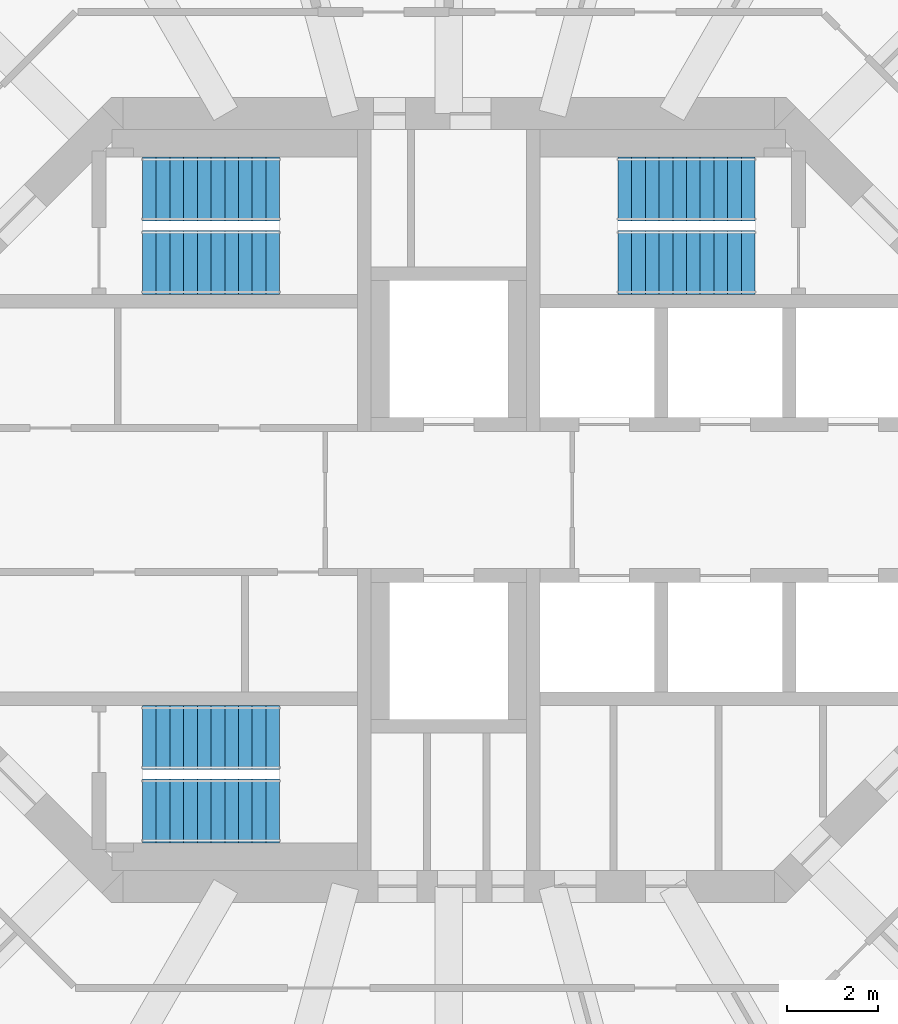
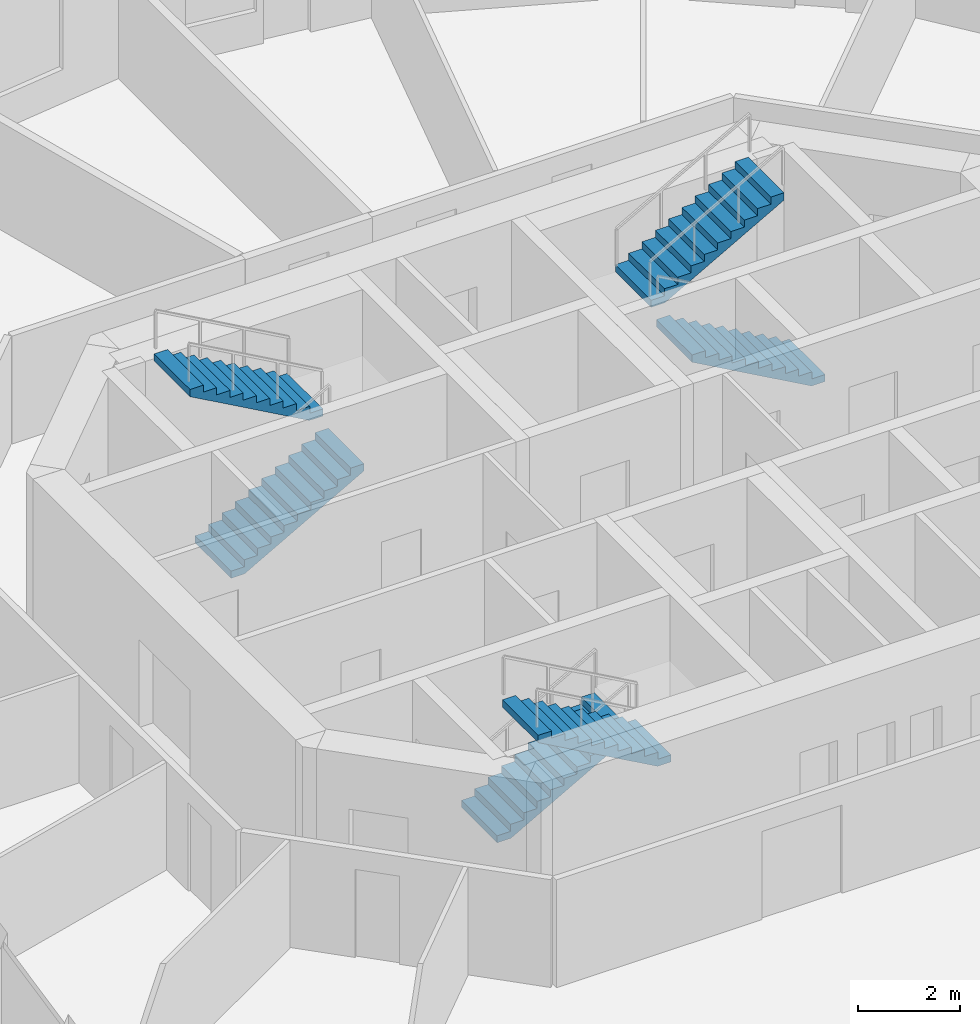
# One storey, part 7 of 9: 6 stair flights, 3 elements without a shape of their own.
"""IFC4 building model written with IfcOpenShell, lengths in metres."""

import ifcopenshell
import ifcopenshell.guid

model = None  # the IFC model being written
_history = None  # IfcOwnerHistory: only IFC2X3 demands one
_inside = {}  # id of a spatial element -> (the spatial element, [elements in it])
_under = {}  # id of a project, library or spatial element -> (it, [spatial elements below it])
_declared = {}  # id of a project -> (the project, [libraries it declares])
_typed = {}  # id of a type object -> (the type object, [elements of that type])
_made_of = {}  # id of a material, layer set ... -> (it, [elements and type objects made of it])


def new_model(schema):
    """Start an empty IFC model of exactly this schema.

    Asked for "IFC4X3", IfcOpenShell would pick the latest addendum, in which some entities
    have other attributes; the version numbers below select the first issue.
    IFC2X3 requires an IfcOwnerHistory on every rooted entity: one is made here for all.
    """
    global model, _history
    if schema == "IFC4X3":
        model = ifcopenshell.file(schema_version=(4, 3, 0, 0))
    else:
        model = ifcopenshell.file(schema=schema)
    _inside.clear()
    _under.clear()
    _declared.clear()
    _typed.clear()
    _made_of.clear()
    _history = None
    if model.schema == "IFC2X3":
        org = make("IfcOrganization", Name="unknown")
        user = make(
            "IfcPersonAndOrganization",
            ThePerson=make("IfcPerson", FamilyName="unknown"),
            TheOrganization=org,
        )
        app = make(
            "IfcApplication",
            ApplicationDeveloper=org,
            Version="unknown",
            ApplicationFullName="unknown",
            ApplicationIdentifier="unknown",
        )
        _history = make(
            "IfcOwnerHistory",
            OwningUser=user,
            OwningApplication=app,
            ChangeAction="ADDED",
            CreationDate=0,
        )
    return model


def make(cls, **values):
    """One entity of the class cls with the attributes given. An attribute that is None is left unset."""
    return model.create_entity(
        cls, **{name: value for name, value in values.items() if value is not None}
    )


def rooted(cls, **values):
    """An entity with a GlobalId (a new one), such as an element, a storey or a relation."""
    return make(cls, GlobalId=ifcopenshell.guid.new(), OwnerHistory=_history, **values)


def si_unit(unit_type, name, prefix=None):
    """IfcSIUnit, for example si_unit("LENGTHUNIT", "METRE", prefix="MILLI")."""
    return make("IfcSIUnit", UnitType=unit_type, Prefix=prefix, Name=name)


def assignment(units):
    """IfcUnitAssignment: the units of a project."""
    return None if units is None else make("IfcUnitAssignment", Units=units)


def point(xyz):
    """IfcCartesianPoint."""
    return None if xyz is None else make("IfcCartesianPoint", Coordinates=xyz)


def direction(xyz):
    """IfcDirection."""
    return None if xyz is None else make("IfcDirection", DirectionRatios=xyz)


def frame(location, z_axis=None, x_axis=None):
    """IfcAxis2Placement3D, a coordinate frame: its origin and axes. An axis left out is left unset."""
    return make(
        "IfcAxis2Placement3D",
        Location=point(location),
        Axis=direction(z_axis),
        RefDirection=direction(x_axis),
    )


def origin():
    """The frame at (0, 0, 0) with its axes left unset."""
    return frame((0.0, 0.0, 0.0))


def place(relative_to, where):
    """IfcLocalPlacement: puts the frame where relative to a parent placement (None: the world)."""
    return make(
        "IfcLocalPlacement", PlacementRelTo=relative_to, RelativePlacement=where
    )


def context(
    kind, dimensions, precision=None, world=None, true_north=None, identifier=None
):
    """IfcGeometricRepresentationContext, for example the 3D "Model" context."""
    return make(
        "IfcGeometricRepresentationContext",
        ContextIdentifier=identifier,
        ContextType=kind,
        CoordinateSpaceDimension=dimensions,
        Precision=precision,
        WorldCoordinateSystem=world,
        TrueNorth=true_north,
    )


def subcontext(parent, identifier, kind, view, scale=None):
    """IfcGeometricRepresentationSubContext, for example "Body" below "Model"."""
    return make(
        "IfcGeometricRepresentationSubContext",
        ContextIdentifier=identifier,
        ContextType=kind,
        ParentContext=parent,
        TargetScale=scale,
        TargetView=view,
    )


def project(units=None, contexts=None):
    """IfcProject with its units and contexts."""
    return rooted(
        "IfcProject",
        Name="project",
        RepresentationContexts=contexts,
        UnitsInContext=assignment(units),
    )


def spatial(cls, under=None, at=None, **own):
    """A site, building, storey or space (cls), placed at a placement, below another one or the project."""
    s = rooted(cls, ObjectPlacement=at, **own)
    if under is not None:
        _under.setdefault(under.id(), (under, []))[1].append(s)
    return s


def polyline(points):
    """IfcPolyline through the points."""
    return make("IfcPolyline", Points=[point(p) for p in points])


def outline(outer, holes=None, kind="AREA"):
    """IfcArbitraryClosedProfileDef: a profile drawn as a closed curve; with holes, ...WithVoids."""
    if holes is None:
        return make("IfcArbitraryClosedProfileDef", ProfileType=kind, OuterCurve=outer)
    return make(
        "IfcArbitraryProfileDefWithVoids",
        ProfileType=kind,
        OuterCurve=outer,
        InnerCurves=holes,
    )


def extrude(swept, where, along, depth):
    """IfcExtrudedAreaSolid: the profile swept, set in the frame where, extruded along a direction by depth."""
    return make(
        "IfcExtrudedAreaSolid",
        SweptArea=swept,
        Position=where,
        ExtrudedDirection=direction(along),
        Depth=depth,
    )


def shape(context_of_items, identifier, shape_type, items):
    """IfcShapeRepresentation: the items that make up one representation, for example the "Body"."""
    return make(
        "IfcShapeRepresentation",
        ContextOfItems=context_of_items,
        RepresentationIdentifier=identifier,
        RepresentationType=shape_type,
        Items=items,
    )


def material(Name=None, Category=None):
    """IfcMaterial."""
    return make("IfcMaterial", Name=Name, Category=Category)


def made_of(thing, what):
    """Note that an element or type object is made of a material, layer set ...; save() writes the relation."""
    if what is not None:
        _made_of.setdefault(what.id(), (what, []))[1].append(thing)
    return thing


def type_object(cls, material=None, **own):
    """A type object (cls), such as IfcWallType, which elements share."""
    return made_of(rooted(cls, **own), material)


def element(
    cls,
    number,
    at=None,
    inside=None,
    cuts=None,
    type_object=None,
    material=None,
    context=None,
    identifier="Body",
    shape_type=None,
    held_by="IfcProductDefinitionShape",
    body=None,
    shapes=None,
    **own,
):
    """One element of the class cls, such as IfcWall. Its Tag is "e" and its number.

    at: its placement. inside: the storey or other place that contains it. cuts: it is an
    opening in that element (IfcRelVoidsElement). A single representation is given by context,
    identifier, shape_type and body (its items); several are given by shapes. held_by: the class
    of the entity that holds the representations. save() writes the other relations.
    """
    e = rooted(cls, Tag="e%d" % number, ObjectPlacement=at, **own)
    if body is not None:
        shapes = [shape(context, identifier, shape_type, body)]
    if shapes is not None:
        e.Representation = make(held_by, Representations=shapes)
    if inside is not None:
        _inside.setdefault(inside.id(), (inside, []))[1].append(e)
    if cuts is not None:
        rooted(
            "IfcRelVoidsElement", RelatingBuildingElement=cuts, RelatedOpeningElement=e
        )
    if type_object is not None:
        _typed.setdefault(type_object.id(), (type_object, []))[1].append(e)
    return made_of(e, material)


def aggregate(whole, parts):
    """IfcRelAggregates: a whole, such as a stair, and the parts it consists of."""
    return rooted("IfcRelAggregates", RelatingObject=whole, RelatedObjects=parts)


def save(model, path):
    """Write the relations noted so far, then the file.

    IfcRelAggregates (storeys below a building ...), IfcRelContainedInSpatialStructure (elements
    in a storey), IfcRelDefinesByType, IfcRelAssociatesMaterial and IfcRelDeclares: one each for
    every whole, place, type object, material and project.
    """
    for whole, parts in _under.values():
        aggregate(whole, parts)
    for where, things in _inside.values():
        rooted(
            "IfcRelContainedInSpatialStructure",
            RelatedElements=things,
            RelatingStructure=where,
        )
    for kind, things in _typed.values():
        rooted("IfcRelDefinesByType", RelatedObjects=things, RelatingType=kind)
    for what, things in _made_of.values():
        rooted("IfcRelAssociatesMaterial", RelatedObjects=things, RelatingMaterial=what)
    for by, libraries in _declared.values():
        rooted("IfcRelDeclares", RelatingContext=by, RelatedDefinitions=libraries)
    model.write(path)


model = new_model("IFC4")

# Units and contexts
model_context = context("Model", 3, precision=1e-05, world=origin(), true_north=direction((0.0, 1.0)))
body_context = subcontext(model_context, "Body", "Model", "MODEL_VIEW")
ifc_project = project(units=[si_unit("LENGTHUNIT", "METRE"), si_unit("AREAUNIT", "SQUARE_METRE"), si_unit("VOLUMEUNIT", "CUBIC_METRE"), si_unit("PLANEANGLEUNIT", "RADIAN"), si_unit("MASSUNIT", "GRAM", prefix="KILO")], contexts=[model_context])

# Site, building, storey
site_placement = place(None, origin())
site = spatial("IfcSite", under=ifc_project, at=site_placement, CompositionType="ELEMENT")
building_placement = place(site_placement, origin())
building = spatial("IfcBuilding", under=site, at=building_placement, Name="Torre Triforio", CompositionType="ELEMENT")
storey_placement = place(building_placement, frame((0.0, 0.0, 233.5)))
storey = spatial("IfcBuildingStorey", under=building, at=storey_placement, Name="L53", CompositionType="ELEMENT", Elevation=233.5)

# Stair, stair flights
ifc_material = material(Name="Concrete C40", Category="concrete")
stair_type = type_object("IfcStairType", Name="STAIR HALF-TURN", PredefinedType="HALF_TURN_STAIR", material=ifc_material)
stair_1_placement = place(storey_placement, origin())
stair_1 = element("IfcStair", 1, at=stair_1_placement, inside=storey, type_object=stair_type, Name="Exit stair 1", PredefinedType="HALF_TURN_STAIR")
stair_flight_type = type_object("IfcStairFlightType", Name="STAIR FLIGHT 1400", PredefinedType="STRAIGHT", material=ifc_material)
stair_flight_1_placement = place(storey_placement, frame((-6.699951171875, 5.199951171875, 0.0), z_axis=(0.0, 0.0, 1.0), x_axis=(1.0, 0.0, 0.0)))
stair_flight_1 = element("IfcStairFlight", 2, at=stair_flight_1_placement, type_object=stair_flight_type, Name="ST1 flight 1", NumberOfRisers=11, NumberOfTreads=10, PredefinedType="STRAIGHT", RiserHeight=0.168181818, TreadLength=0.3, context=body_context, shape_type="SweptSolid", body=[
    extrude(outline(polyline([(0.0, 0.0), (0.0, 0.168212890625), (0.300048828125, 0.168212890625), (0.300048828125, 0.33642578125), (0.60009765625, 0.33642578125), (0.60009765625, 0.504638671875), (0.89990234375, 0.504638671875), (0.89990234375, 0.672607421875), (1.199951171875, 0.672607421875), (1.199951171875, 0.8408203125), (1.5, 0.8408203125), (1.5, 1.009033203125), (1.800048828125, 1.009033203125), (1.800048828125, 1.17724609375), (2.10009765625, 1.17724609375), (2.10009765625, 1.345458984375), (2.39990234375, 1.345458984375), (2.39990234375, 1.513671875), (2.699951171875, 1.513671875), (2.699951171875, 1.681884765625), (3.0, 1.681884765625), (3.0, 1.85009765625), (3.0, 1.510009765625), (0.306640625, 0.0), (0.0, 0.0)])), frame((0.0, 0.699951171875, 0.0), z_axis=(0.0, -1.0, 0.0), x_axis=(1.0, 0.0, 0.0)), (0.0, 0.0, 1.0), 1.39990234375),
])
stair_flight_2_placement = place(storey_placement, frame((-3.699951171875, 6.800048828125, 1.85009765625), z_axis=(0.0, 0.0, 1.0), x_axis=(-1.0, 0.0, 0.0)))
stair_flight_2 = element("IfcStairFlight", 3, at=stair_flight_2_placement, type_object=stair_flight_type, Name="ST1 flight 2", NumberOfRisers=11, NumberOfTreads=10, PredefinedType="STRAIGHT", RiserHeight=0.168181818, TreadLength=0.3, context=body_context, shape_type="SweptSolid", body=[
    extrude(outline(polyline([(0.0, 0.0), (0.0, 0.168212890625), (0.300048828125, 0.168212890625), (0.300048828125, 0.33642578125), (0.60009765625, 0.33642578125), (0.60009765625, 0.504638671875), (0.89990234375, 0.504638671875), (0.89990234375, 0.672607421875), (1.199951171875, 0.672607421875), (1.199951171875, 0.8408203125), (1.5, 0.8408203125), (1.5, 1.009033203125), (1.800048828125, 1.009033203125), (1.800048828125, 1.17724609375), (2.10009765625, 1.17724609375), (2.10009765625, 1.345458984375), (2.39990234375, 1.345458984375), (2.39990234375, 1.513671875), (2.699951171875, 1.513671875), (2.699951171875, 1.681884765625), (3.0, 1.681884765625), (3.0, 1.85009765625), (3.0, 1.510009765625), (0.306640625, 0.0), (0.0, 0.0)])), frame((0.0, 0.699951171875, 0.0), z_axis=(0.0, -1.0, 0.0), x_axis=(1.0, 0.0, 0.0)), (0.0, 0.0, 1.0), 1.39990234375),
])
aggregate(stair_1, [stair_flight_1, stair_flight_2])

stair_2_placement = place(storey_placement, origin())
stair_2 = element("IfcStair", 4, at=stair_2_placement, inside=storey, type_object=stair_type, Name="Exit stair 2", PredefinedType="HALF_TURN_STAIR")
stair_flight_3_placement = place(storey_placement, frame((6.699951171875, 5.199951171875, 0.0), z_axis=(0.0, 0.0, 1.0), x_axis=(-1.0, 0.0, 0.0)))
stair_flight_3 = element("IfcStairFlight", 5, at=stair_flight_3_placement, type_object=stair_flight_type, Name="ST2 flight 1", NumberOfRisers=11, NumberOfTreads=10, PredefinedType="STRAIGHT", RiserHeight=0.168181818, TreadLength=0.3, context=body_context, shape_type="SweptSolid", body=[
    extrude(outline(polyline([(0.0, 0.0), (0.0, 0.168212890625), (0.300048828125, 0.168212890625), (0.300048828125, 0.33642578125), (0.60009765625, 0.33642578125), (0.60009765625, 0.504638671875), (0.89990234375, 0.504638671875), (0.89990234375, 0.672607421875), (1.199951171875, 0.672607421875), (1.199951171875, 0.8408203125), (1.5, 0.8408203125), (1.5, 1.009033203125), (1.800048828125, 1.009033203125), (1.800048828125, 1.17724609375), (2.10009765625, 1.17724609375), (2.10009765625, 1.345458984375), (2.39990234375, 1.345458984375), (2.39990234375, 1.513671875), (2.699951171875, 1.513671875), (2.699951171875, 1.681884765625), (3.0, 1.681884765625), (3.0, 1.85009765625), (3.0, 1.510009765625), (0.306640625, 0.0), (0.0, 0.0)])), frame((0.0, 0.699951171875, 0.0), z_axis=(0.0, -1.0, 0.0), x_axis=(1.0, 0.0, 0.0)), (0.0, 0.0, 1.0), 1.39990234375),
])
stair_flight_4_placement = place(storey_placement, frame((3.699951171875, 6.800048828125, 1.85009765625), z_axis=(0.0, 0.0, 1.0), x_axis=(1.0, 0.0, 0.0)))
stair_flight_4 = element("IfcStairFlight", 6, at=stair_flight_4_placement, type_object=stair_flight_type, Name="ST2 flight 2", NumberOfRisers=11, NumberOfTreads=10, PredefinedType="STRAIGHT", RiserHeight=0.168181818, TreadLength=0.3, context=body_context, shape_type="SweptSolid", body=[
    extrude(outline(polyline([(0.0, 0.0), (0.0, 0.168212890625), (0.300048828125, 0.168212890625), (0.300048828125, 0.33642578125), (0.60009765625, 0.33642578125), (0.60009765625, 0.504638671875), (0.89990234375, 0.504638671875), (0.89990234375, 0.672607421875), (1.199951171875, 0.672607421875), (1.199951171875, 0.8408203125), (1.5, 0.8408203125), (1.5, 1.009033203125), (1.800048828125, 1.009033203125), (1.800048828125, 1.17724609375), (2.10009765625, 1.17724609375), (2.10009765625, 1.345458984375), (2.39990234375, 1.345458984375), (2.39990234375, 1.513671875), (2.699951171875, 1.513671875), (2.699951171875, 1.681884765625), (3.0, 1.681884765625), (3.0, 1.85009765625), (3.0, 1.510009765625), (0.306640625, 0.0), (0.0, 0.0)])), frame((0.0, 0.699951171875, 0.0), z_axis=(0.0, -1.0, 0.0), x_axis=(1.0, 0.0, 0.0)), (0.0, 0.0, 1.0), 1.39990234375),
])
aggregate(stair_2, [stair_flight_3, stair_flight_4])

stair_3_placement = place(storey_placement, origin())
stair_3 = element("IfcStair", 7, at=stair_3_placement, inside=storey, type_object=stair_type, Name="Exit stair 3", PredefinedType="HALF_TURN_STAIR")
stair_flight_5_placement = place(storey_placement, frame((-6.699951171875, -5.199951171875, 0.0), z_axis=(0.0, 0.0, 1.0), x_axis=(1.0, 0.0, 0.0)))
stair_flight_5 = element("IfcStairFlight", 8, at=stair_flight_5_placement, type_object=stair_flight_type, Name="ST3 flight 1", NumberOfRisers=11, NumberOfTreads=10, PredefinedType="STRAIGHT", RiserHeight=0.168181818, TreadLength=0.3, context=body_context, shape_type="SweptSolid", body=[
    extrude(outline(polyline([(0.0, 0.0), (0.0, 0.168212890625), (0.300048828125, 0.168212890625), (0.300048828125, 0.33642578125), (0.60009765625, 0.33642578125), (0.60009765625, 0.504638671875), (0.89990234375, 0.504638671875), (0.89990234375, 0.672607421875), (1.199951171875, 0.672607421875), (1.199951171875, 0.8408203125), (1.5, 0.8408203125), (1.5, 1.009033203125), (1.800048828125, 1.009033203125), (1.800048828125, 1.17724609375), (2.10009765625, 1.17724609375), (2.10009765625, 1.345458984375), (2.39990234375, 1.345458984375), (2.39990234375, 1.513671875), (2.699951171875, 1.513671875), (2.699951171875, 1.681884765625), (3.0, 1.681884765625), (3.0, 1.85009765625), (3.0, 1.510009765625), (0.306640625, 0.0), (0.0, 0.0)])), frame((0.0, 0.699951171875, 0.0), z_axis=(0.0, -1.0, 0.0), x_axis=(1.0, 0.0, 0.0)), (0.0, 0.0, 1.0), 1.39990234375),
])
stair_flight_6_placement = place(storey_placement, frame((-3.699951171875, -6.800048828125, 1.85009765625), z_axis=(0.0, 0.0, 1.0), x_axis=(-1.0, 0.0, 0.0)))
stair_flight_6 = element("IfcStairFlight", 9, at=stair_flight_6_placement, type_object=stair_flight_type, Name="ST3 flight 2", NumberOfRisers=11, NumberOfTreads=10, PredefinedType="STRAIGHT", RiserHeight=0.168181818, TreadLength=0.3, context=body_context, shape_type="SweptSolid", body=[
    extrude(outline(polyline([(0.0, 0.0), (0.0, 0.168212890625), (0.300048828125, 0.168212890625), (0.300048828125, 0.33642578125), (0.60009765625, 0.33642578125), (0.60009765625, 0.504638671875), (0.89990234375, 0.504638671875), (0.89990234375, 0.672607421875), (1.199951171875, 0.672607421875), (1.199951171875, 0.8408203125), (1.5, 0.8408203125), (1.5, 1.009033203125), (1.800048828125, 1.009033203125), (1.800048828125, 1.17724609375), (2.10009765625, 1.17724609375), (2.10009765625, 1.345458984375), (2.39990234375, 1.345458984375), (2.39990234375, 1.513671875), (2.699951171875, 1.513671875), (2.699951171875, 1.681884765625), (3.0, 1.681884765625), (3.0, 1.85009765625), (3.0, 1.510009765625), (0.306640625, 0.0), (0.0, 0.0)])), frame((0.0, 0.699951171875, 0.0), z_axis=(0.0, -1.0, 0.0), x_axis=(1.0, 0.0, 0.0)), (0.0, 0.0, 1.0), 1.39990234375),
])
aggregate(stair_3, [stair_flight_5, stair_flight_6])

save(model, "model.ifc")
